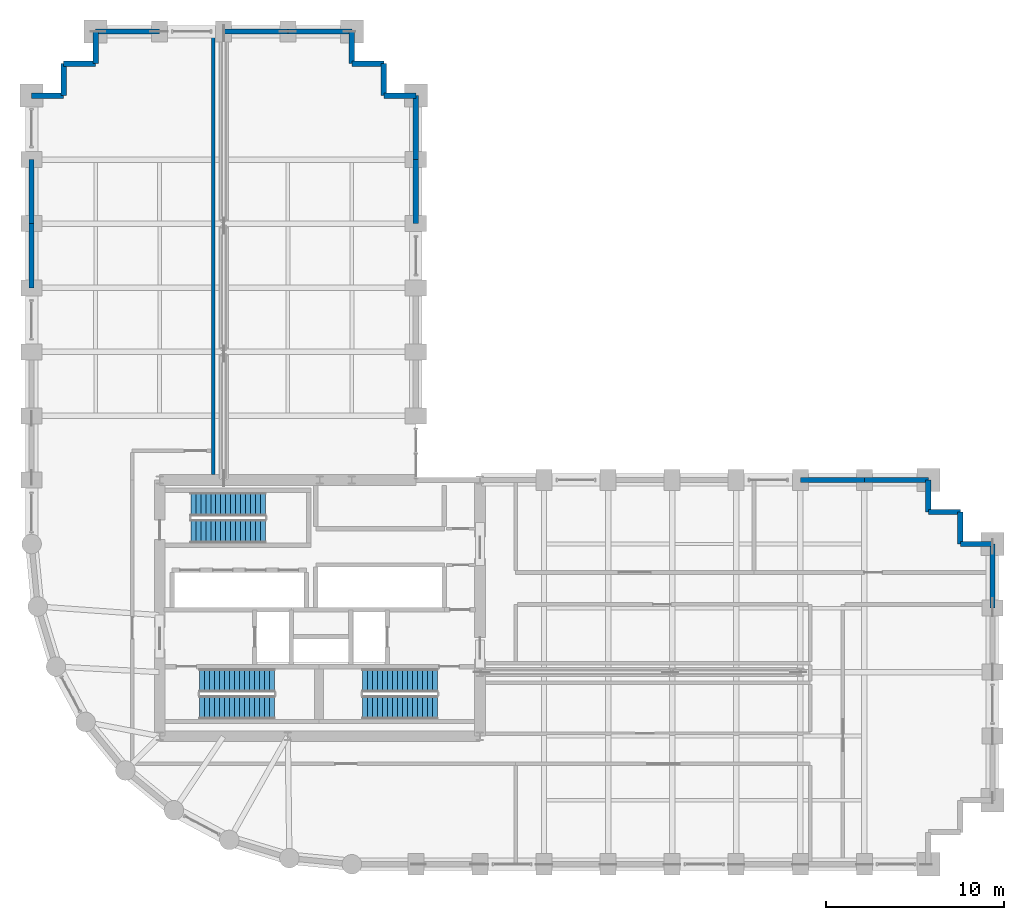
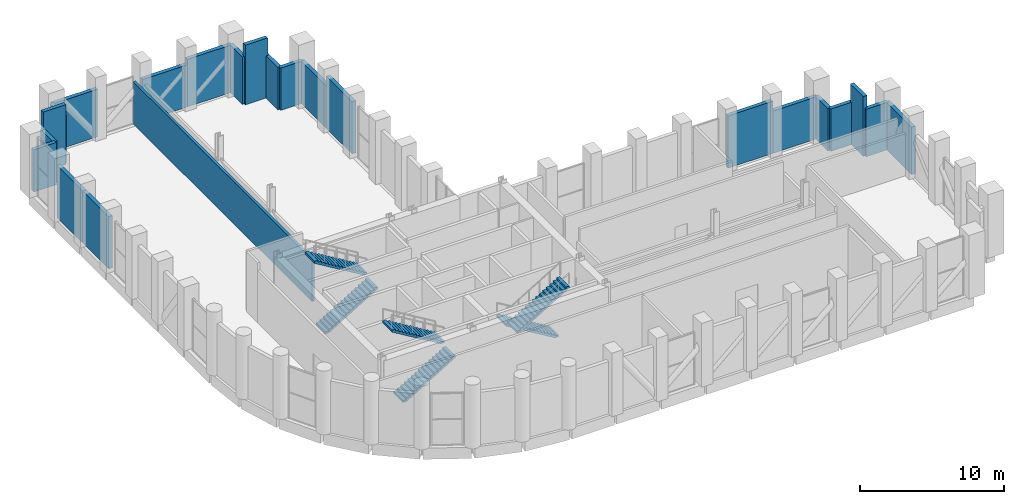
# One storey, part 26 of 27: 23 walls, 6 stair flights, 3 elements without a shape of their own.
"""IFC4 building model written with IfcOpenShell, lengths in metres."""

from ifc_helpers import new_model, si_unit, direction, frame, frame_2d, origin, place, context, subcontext, project, spatial, polyline, rectangle, outline, extrude, material, layer, layer_set, type_object, element, aggregate, save


model = new_model("IFC4")

# Units and contexts
model_context = context("Model", 3, precision=1e-05, world=origin(), true_north=direction((0.0, 1.0)))
body_context = subcontext(model_context, "Body", "Model", "MODEL_VIEW")
ifc_project = project(units=[si_unit("LENGTHUNIT", "METRE"), si_unit("AREAUNIT", "SQUARE_METRE"), si_unit("VOLUMEUNIT", "CUBIC_METRE"), si_unit("PLANEANGLEUNIT", "RADIAN"), si_unit("MASSUNIT", "GRAM", prefix="KILO")], contexts=[model_context])

# Site, building, storey
site_placement = place(None, origin())
site = spatial("IfcSite", under=ifc_project, at=site_placement, CompositionType="ELEMENT")
building_placement = place(site_placement, origin())
building = spatial("IfcBuilding", under=site, at=building_placement, Name="Solnavia Interchange Tower", CompositionType="ELEMENT")
storey_placement = place(building_placement, frame((0.0, 0.0, 74.699951171875)))
storey = spatial("IfcBuildingStorey", under=building, at=storey_placement, Name="L18", CompositionType="ELEMENT", Elevation=74.699951171875)

# Walls
ifc_material = material(Name="Concrete C40/50", Category="concrete")
ifc_layer_1 = layer(ifc_material, 0.300048828125)
ifc_layer_set_1 = layer_set([ifc_layer_1], Name="Concrete C40/50")
wall_type_1 = type_object("IfcWallType", Name="Wall-ExtSpandrel-300", PredefinedType="STANDARD", material=ifc_layer_set_1)
wall_1_placement = place(storey_placement, frame((61.199951171875, 21.60009765625, 0.0), z_axis=(0.0, 0.0, 1.0), x_axis=(0.0, -1.0, 0.0)))
element("IfcWall", 1, at=wall_1_placement, inside=storey, type_object=wall_type_1, Name="EXW-L18-17 Exterior precast spandrel wall", PredefinedType="STANDARD", context=body_context, shape_type="SweptSolid", body=[
    extrude(rectangle(XDim=3.60009765625, YDim=0.300048828125, at=frame_2d((1.800048828125, 0.0))), origin(), (0.0, 0.0, 1.0), 4.030029296875),
])
wall_2_placement = place(storey_placement, frame((61.199951171875, 21.60009765625, 0.0), z_axis=(0.0, 0.0, 1.0), x_axis=(-1.0, 0.0, 0.0)))
element("IfcWall", 2, at=wall_2_placement, inside=storey, type_object=wall_type_1, Name="EXW-L18-18 Exterior precast spandrel wall", PredefinedType="STANDARD", context=body_context, shape_type="SweptSolid", body=[
    extrude(rectangle(XDim=1.800048828125, YDim=0.300048828125, at=frame_2d((0.89990234375, 0.0))), origin(), (0.0, 0.0, 1.0), 4.030029296875),
])
wall_3_placement = place(storey_placement, frame((59.39990234375, 23.39990234375, 0.0), z_axis=(0.0, 0.0, 1.0), x_axis=(0.0, -1.0, 0.0)))
element("IfcWall", 3, at=wall_3_placement, inside=storey, type_object=wall_type_1, Name="EXW-L18-19 Exterior precast spandrel wall", PredefinedType="STANDARD", context=body_context, shape_type="SweptSolid", body=[
    extrude(rectangle(XDim=1.7998046875, YDim=0.300048828125, at=frame_2d((0.89990234375, 0.0))), origin(), (0.0, 0.0, 1.0), 5.06494140625),
])
wall_4_placement = place(storey_placement, frame((57.60009765625, 23.39990234375, 0.0), z_axis=(0.0, 0.0, 1.0), x_axis=(1.0, 0.0, 0.0)))
element("IfcWall", 4, at=wall_4_placement, inside=storey, type_object=wall_type_1, Name="EXW-L18-20 Exterior precast spandrel wall", PredefinedType="STANDARD", context=body_context, shape_type="SweptSolid", body=[
    extrude(rectangle(XDim=1.7998046875, YDim=0.300048828125, at=frame_2d((0.89990234375, 0.0))), origin(), (0.0, 0.0, 1.0), 3.580078125),
])
wall_5_placement = place(storey_placement, frame((57.60009765625, 25.199951171875, 0.0), z_axis=(0.0, 0.0, 1.0), x_axis=(0.0, -1.0, 0.0)))
element("IfcWall", 5, at=wall_5_placement, inside=storey, type_object=wall_type_1, Name="EXW-L18-21 Exterior precast spandrel wall", PredefinedType="STANDARD", context=body_context, shape_type="SweptSolid", body=[
    extrude(rectangle(XDim=1.800048828125, YDim=0.300048828125, at=frame_2d((0.89990234375, 0.0))), origin(), (0.0, 0.0, 1.0), 3.580078125),
])
wall_6_placement = place(storey_placement, frame((54.0, 25.199951171875, 0.0), z_axis=(0.0, 0.0, 1.0), x_axis=(1.0, 0.0, 0.0)))
element("IfcWall", 6, at=wall_6_placement, inside=storey, type_object=wall_type_1, Name="EXW-L18-22 Exterior precast spandrel wall", PredefinedType="STANDARD", context=body_context, shape_type="SweptSolid", body=[
    extrude(rectangle(XDim=3.60009765625, YDim=0.300048828125, at=frame_2d((1.800048828125, 0.0))), origin(), (0.0, 0.0, 1.0), 3.580078125),
])
wall_7_placement = place(storey_placement, frame((50.39990234375, 25.199951171875, 0.0), z_axis=(0.0, 0.0, 1.0), x_axis=(1.0, 0.0, 0.0)))
element("IfcWall", 7, at=wall_7_placement, inside=storey, type_object=wall_type_1, Name="EXW-L18-23 Exterior precast spandrel wall", PredefinedType="STANDARD", context=body_context, shape_type="SweptSolid", body=[
    extrude(rectangle(XDim=3.60009765625, YDim=0.300048828125, at=frame_2d((1.800048828125, 0.0))), origin(), (0.0, 0.0, 1.0), 4.429931640625),
])
wall_8_placement = place(storey_placement, frame((28.800048828125, 39.60009765625, 0.0), z_axis=(0.0, 0.0, 1.0), x_axis=(0.0, 1.0, 0.0)))
element("IfcWall", 8, at=wall_8_placement, inside=storey, type_object=wall_type_1, Name="EXW-L18-34 Exterior precast spandrel wall", PredefinedType="STANDARD", context=body_context, shape_type="SweptSolid", body=[
    extrude(rectangle(XDim=3.599853515625, YDim=0.300048828125, at=frame_2d((1.7998046875, 0.0))), origin(), (0.0, 0.0, 1.0), 4.429931640625),
])
wall_9_placement = place(storey_placement, frame((28.800048828125, 43.199951171875, 0.0), z_axis=(0.0, 0.0, 1.0), x_axis=(0.0, 1.0, 0.0)))
element("IfcWall", 9, at=wall_9_placement, inside=storey, type_object=wall_type_1, Name="EXW-L18-35 Exterior precast spandrel wall", PredefinedType="STANDARD", context=body_context, shape_type="SweptSolid", body=[
    extrude(rectangle(XDim=3.60009765625, YDim=0.300048828125, at=frame_2d((1.800048828125, 0.0))), origin(), (0.0, 0.0, 1.0), 3.580078125),
])
for number, where, z_axis, x_axis, name in (
    (10, (27.0, 46.800048828125, 0.0), (0.0, 0.0, 1.0), (1.0, 0.0, 0.0), "EXW-L18-36 Exterior precast spandrel wall"),
    (11, (27.0, 46.800048828125, 0.0), (0.0, 0.0, 1.0), (0.0, 1.0, 0.0), "EXW-L18-37 Exterior precast spandrel wall"),
):
    element("IfcWall", number, at=place(storey_placement, frame(where, z_axis=z_axis, x_axis=x_axis)), inside=storey, type_object=wall_type_1, Name=name, PredefinedType="STANDARD", context=body_context, shape_type="SweptSolid", body=[
        extrude(rectangle(XDim=1.800048828125, YDim=0.300048828125, at=frame_2d((0.89990234375, 0.0))), origin(), (0.0, 0.0, 1.0), 3.580078125),
    ])
wall_10_placement = place(storey_placement, frame((25.199951171875, 48.60009765625, 0.0), z_axis=(0.0, 0.0, 1.0), x_axis=(1.0, 0.0, 0.0)))
element("IfcWall", 12, at=wall_10_placement, inside=storey, type_object=wall_type_1, Name="EXW-L18-38 Exterior precast spandrel wall", PredefinedType="STANDARD", context=body_context, shape_type="SweptSolid", body=[
    extrude(rectangle(XDim=1.800048828125, YDim=0.300048828125, at=frame_2d((0.89990234375, 0.0))), origin(), (0.0, 0.0, 1.0), 5.06494140625),
])
wall_11_placement = place(storey_placement, frame((25.199951171875, 48.60009765625, 0.0), z_axis=(0.0, 0.0, 1.0), x_axis=(0.0, 1.0, 0.0)))
element("IfcWall", 13, at=wall_11_placement, inside=storey, type_object=wall_type_1, Name="EXW-L18-39 Exterior precast spandrel wall", PredefinedType="STANDARD", context=body_context, shape_type="SweptSolid", body=[
    extrude(rectangle(XDim=1.7998046875, YDim=0.300048828125, at=frame_2d((0.89990234375, 0.0))), origin(), (0.0, 0.0, 1.0), 4.030029296875),
])
wall_12_placement = place(storey_placement, frame((21.60009765625, 50.39990234375, 0.0), z_axis=(0.0, 0.0, 1.0), x_axis=(1.0, 0.0, 0.0)))
element("IfcWall", 14, at=wall_12_placement, inside=storey, type_object=wall_type_1, Name="EXW-L18-40 Exterior precast spandrel wall", PredefinedType="STANDARD", context=body_context, shape_type="SweptSolid", body=[
    extrude(rectangle(XDim=3.599853515625, YDim=0.300048828125, at=frame_2d((1.7998046875, 0.0))), origin(), (0.0, 0.0, 1.0), 4.030029296875),
])
wall_13_placement = place(storey_placement, frame((18.0, 50.39990234375, 0.0), z_axis=(0.0, 0.0, 1.0), x_axis=(1.0, 0.0, 0.0)))
element("IfcWall", 15, at=wall_13_placement, inside=storey, type_object=wall_type_1, Name="EXW-L18-41 Exterior precast spandrel wall", PredefinedType="STANDARD", context=body_context, shape_type="SweptSolid", body=[
    extrude(rectangle(XDim=3.60009765625, YDim=0.300048828125, at=frame_2d((1.800048828125, 0.0))), origin(), (0.0, 0.0, 1.0), 3.580078125),
])
wall_14_placement = place(storey_placement, frame((10.800048828125, 50.39990234375, 0.0), z_axis=(0.0, 0.0, 1.0), x_axis=(1.0, 0.0, 0.0)))
element("IfcWall", 16, at=wall_14_placement, inside=storey, type_object=wall_type_1, Name="EXW-L18-43 Exterior precast spandrel wall", PredefinedType="STANDARD", context=body_context, shape_type="SweptSolid", body=[
    extrude(rectangle(XDim=3.599853515625, YDim=0.300048828125, at=frame_2d((1.7998046875, 0.0))), origin(), (0.0, 0.0, 1.0), 4.030029296875),
])
wall_15_placement = place(storey_placement, frame((10.800048828125, 48.60009765625, 0.0), z_axis=(0.0, 0.0, 1.0), x_axis=(0.0, 1.0, 0.0)))
element("IfcWall", 17, at=wall_15_placement, inside=storey, type_object=wall_type_1, Name="EXW-L18-44 Exterior precast spandrel wall", PredefinedType="STANDARD", context=body_context, shape_type="SweptSolid", body=[
    extrude(rectangle(XDim=1.7998046875, YDim=0.300048828125, at=frame_2d((0.89990234375, 0.0))), origin(), (0.0, 0.0, 1.0), 4.030029296875),
])
wall_16_placement = place(storey_placement, frame((9.0, 48.60009765625, 0.0), z_axis=(0.0, 0.0, 1.0), x_axis=(1.0, 0.0, 0.0)))
element("IfcWall", 18, at=wall_16_placement, inside=storey, type_object=wall_type_1, Name="EXW-L18-45 Exterior precast spandrel wall", PredefinedType="STANDARD", context=body_context, shape_type="SweptSolid", body=[
    extrude(rectangle(XDim=1.800048828125, YDim=0.300048828125, at=frame_2d((0.89990234375, 0.0))), origin(), (0.0, 0.0, 1.0), 5.06494140625),
])
for number, where, z_axis, x_axis, name in (
    (19, (9.0, 46.800048828125, 0.0), (0.0, 0.0, 1.0), (0.0, 1.0, 0.0), "EXW-L18-46 Exterior precast spandrel wall"),
    (20, (7.199951171875, 46.800048828125, 0.0), (0.0, 0.0, 1.0), (1.0, 0.0, 0.0), "EXW-L18-47 Exterior precast spandrel wall"),
):
    element("IfcWall", number, at=place(storey_placement, frame(where, z_axis=z_axis, x_axis=x_axis)), inside=storey, type_object=wall_type_1, Name=name, PredefinedType="STANDARD", context=body_context, shape_type="SweptSolid", body=[
        extrude(rectangle(XDim=1.800048828125, YDim=0.300048828125, at=frame_2d((0.89990234375, 0.0))), origin(), (0.0, 0.0, 1.0), 3.580078125),
    ])
wall_17_placement = place(storey_placement, frame((7.199951171875, 39.60009765625, 0.0), z_axis=(0.0, 0.0, 1.0), x_axis=(0.0, 1.0, 0.0)))
element("IfcWall", 21, at=wall_17_placement, inside=storey, type_object=wall_type_1, Name="EXW-L18-49 Exterior precast spandrel wall", PredefinedType="STANDARD", context=body_context, shape_type="SweptSolid", body=[
    extrude(rectangle(XDim=3.599853515625, YDim=0.300048828125, at=frame_2d((1.7998046875, 0.0))), origin(), (0.0, 0.0, 1.0), 4.429931640625),
])
wall_18_placement = place(storey_placement, frame((7.199951171875, 36.0, 0.0), z_axis=(0.0, 0.0, 1.0), x_axis=(0.0, 1.0, 0.0)))
element("IfcWall", 22, at=wall_18_placement, inside=storey, type_object=wall_type_1, Name="EXW-L18-50 Exterior precast spandrel wall", PredefinedType="STANDARD", context=body_context, shape_type="SweptSolid", body=[
    extrude(rectangle(XDim=3.60009765625, YDim=0.300048828125, at=frame_2d((1.800048828125, 0.0))), origin(), (0.0, 0.0, 1.0), 4.429931640625),
])
ifc_layer_2 = layer(ifc_material, 0.199951171875)
ifc_layer_set_2 = layer_set([ifc_layer_2], Name="Concrete C40/50")
wall_type_2 = type_object("IfcWallType", Name="Wall-PlantFire-200", PredefinedType="PARTITIONING", material=ifc_layer_set_2)
wall_19_placement = place(storey_placement, frame((17.39990234375, 25.50390625, 0.0), z_axis=(0.0, 0.0, 1.0), x_axis=(0.0, 1.0, 0.0)))
element("IfcWall", 23, at=wall_19_placement, inside=storey, type_object=wall_type_2, Name="PTW-L18-01 Interior partition wall", PredefinedType="PARTITIONING", context=body_context, shape_type="SweptSolid", body=[
    extrude(rectangle(XDim=24.89599609375, YDim=0.199951171875, at=frame_2d((12.447998046875, 0.0))), origin(), (0.0, 0.0, 1.0), 3.580078125),
])

# Stair, stair flights
stair_type = type_object("IfcStairType", Name="Stair-Dogleg-RC", PredefinedType="HALF_TURN_STAIR", material=ifc_material)
stair_1_placement = place(storey_placement, origin())
stair_1 = element("IfcStair", 24, at=stair_1_placement, inside=storey, type_object=stair_type, Name="L18 Core exit stair 1", PredefinedType="HALF_TURN_STAIR")
stair_flight_type = type_object("IfcStairFlightType", Name="StairFlight-RC-150", PredefinedType="STRAIGHT", material=ifc_material)
stair_flight_1_placement = place(storey_placement, frame((16.64990234375, 12.409912109375, 0.0), z_axis=(0.0, 0.0, 1.0), x_axis=(1.0, 0.0, 0.0)))
stair_flight_1 = element("IfcStairFlight", 25, at=stair_flight_1_placement, type_object=stair_flight_type, Name="ST-1 flight 1", NumberOfRisers=16, NumberOfTreads=15, PredefinedType="STRAIGHT", RiserHeight=0.16875, TreadLength=0.28, context=body_context, shape_type="SweptSolid", body=[
    extrude(outline(polyline([(0.0, 0.0), (0.0, 0.168701171875), (0.280029296875, 0.168701171875), (0.280029296875, 0.33740234375), (0.56005859375, 0.33740234375), (0.56005859375, 0.50634765625), (0.840087890625, 0.50634765625), (0.840087890625, 0.675048828125), (1.1201171875, 0.675048828125), (1.1201171875, 0.84375), (1.39990234375, 0.84375), (1.39990234375, 1.012451171875), (1.679931640625, 1.012451171875), (1.679931640625, 1.18115234375), (1.9599609375, 1.18115234375), (1.9599609375, 1.35009765625), (2.239990234375, 1.35009765625), (2.239990234375, 1.518798828125), (2.52001953125, 1.518798828125), (2.52001953125, 1.6875), (2.800048828125, 1.6875), (2.800048828125, 1.856201171875), (3.080078125, 1.856201171875), (3.080078125, 2.02490234375), (3.360107421875, 2.02490234375), (3.360107421875, 2.19384765625), (3.639892578125, 2.19384765625), (3.639892578125, 2.362548828125), (3.919921875, 2.362548828125), (3.919921875, 2.53125), (4.199951171875, 2.53125), (4.199951171875, 2.699951171875), (4.199951171875, 2.356201171875), (0.29052734375, 0.0), (0.0, 0.0)])), frame((0.0, 0.66015625, 0.0), z_axis=(0.0, -1.0, 0.0), x_axis=(1.0, 0.0, 0.0)), (0.0, 0.0, 1.0), 1.320068359375),
])
stair_flight_2_placement = place(storey_placement, frame((20.85009765625, 13.929931640625, 2.699951171875), z_axis=(0.0, 0.0, 1.0), x_axis=(-1.0, 0.0, 0.0)))
stair_flight_2 = element("IfcStairFlight", 26, at=stair_flight_2_placement, type_object=stair_flight_type, Name="ST-1 flight 2", NumberOfRisers=16, NumberOfTreads=15, PredefinedType="STRAIGHT", RiserHeight=0.16875, TreadLength=0.28, context=body_context, shape_type="SweptSolid", body=[
    extrude(outline(polyline([(0.0, 0.0), (0.0, 0.168701171875), (0.280029296875, 0.168701171875), (0.280029296875, 0.33740234375), (0.56005859375, 0.33740234375), (0.56005859375, 0.50634765625), (0.840087890625, 0.50634765625), (0.840087890625, 0.675048828125), (1.1201171875, 0.675048828125), (1.1201171875, 0.84375), (1.39990234375, 0.84375), (1.39990234375, 1.012451171875), (1.679931640625, 1.012451171875), (1.679931640625, 1.18115234375), (1.9599609375, 1.18115234375), (1.9599609375, 1.35009765625), (2.239990234375, 1.35009765625), (2.239990234375, 1.518798828125), (2.52001953125, 1.518798828125), (2.52001953125, 1.6875), (2.800048828125, 1.6875), (2.800048828125, 1.856201171875), (3.080078125, 1.856201171875), (3.080078125, 2.02490234375), (3.360107421875, 2.02490234375), (3.360107421875, 2.19384765625), (3.639892578125, 2.19384765625), (3.639892578125, 2.362548828125), (3.919921875, 2.362548828125), (3.919921875, 2.53125), (4.199951171875, 2.53125), (4.199951171875, 2.699951171875), (4.199951171875, 2.356201171875), (0.29052734375, 0.0), (0.0, 0.0)])), frame((0.0, 0.66015625, 0.0), z_axis=(0.0, -1.0, 0.0), x_axis=(1.0, 0.0, 0.0)), (0.0, 0.0, 1.0), 1.320068359375),
])
aggregate(stair_1, [stair_flight_1, stair_flight_2])

stair_2_placement = place(storey_placement, origin())
stair_2 = element("IfcStair", 27, at=stair_2_placement, inside=storey, type_object=stair_type, Name="L18 Core exit stair 2", PredefinedType="HALF_TURN_STAIR")
stair_flight_3_placement = place(storey_placement, frame((30.0, 13.929931640625, 0.0), z_axis=(0.0, 0.0, 1.0), x_axis=(-1.0, 0.0, 0.0)))
stair_flight_3 = element("IfcStairFlight", 28, at=stair_flight_3_placement, type_object=stair_flight_type, Name="ST-2 flight 1", NumberOfRisers=16, NumberOfTreads=15, PredefinedType="STRAIGHT", RiserHeight=0.16875, TreadLength=0.28, context=body_context, shape_type="SweptSolid", body=[
    extrude(outline(polyline([(0.0, 0.0), (0.0, 0.168701171875), (0.280029296875, 0.168701171875), (0.280029296875, 0.33740234375), (0.56005859375, 0.33740234375), (0.56005859375, 0.50634765625), (0.840087890625, 0.50634765625), (0.840087890625, 0.675048828125), (1.1201171875, 0.675048828125), (1.1201171875, 0.84375), (1.39990234375, 0.84375), (1.39990234375, 1.012451171875), (1.679931640625, 1.012451171875), (1.679931640625, 1.18115234375), (1.9599609375, 1.18115234375), (1.9599609375, 1.35009765625), (2.239990234375, 1.35009765625), (2.239990234375, 1.518798828125), (2.52001953125, 1.518798828125), (2.52001953125, 1.6875), (2.800048828125, 1.6875), (2.800048828125, 1.856201171875), (3.080078125, 1.856201171875), (3.080078125, 2.02490234375), (3.360107421875, 2.02490234375), (3.360107421875, 2.19384765625), (3.639892578125, 2.19384765625), (3.639892578125, 2.362548828125), (3.919921875, 2.362548828125), (3.919921875, 2.53125), (4.199951171875, 2.53125), (4.199951171875, 2.699951171875), (4.199951171875, 2.356201171875), (0.29052734375, 0.0), (0.0, 0.0)])), frame((0.0, 0.66015625, 0.0), z_axis=(0.0, -1.0, 0.0), x_axis=(1.0, 0.0, 0.0)), (0.0, 0.0, 1.0), 1.320068359375),
])
stair_flight_4_placement = place(storey_placement, frame((25.800048828125, 12.409912109375, 2.699951171875), z_axis=(0.0, 0.0, 1.0), x_axis=(1.0, 0.0, 0.0)))
stair_flight_4 = element("IfcStairFlight", 29, at=stair_flight_4_placement, type_object=stair_flight_type, Name="ST-2 flight 2", NumberOfRisers=16, NumberOfTreads=15, PredefinedType="STRAIGHT", RiserHeight=0.16875, TreadLength=0.28, context=body_context, shape_type="SweptSolid", body=[
    extrude(outline(polyline([(0.0, 0.0), (0.0, 0.168701171875), (0.280029296875, 0.168701171875), (0.280029296875, 0.33740234375), (0.56005859375, 0.33740234375), (0.56005859375, 0.50634765625), (0.840087890625, 0.50634765625), (0.840087890625, 0.675048828125), (1.1201171875, 0.675048828125), (1.1201171875, 0.84375), (1.39990234375, 0.84375), (1.39990234375, 1.012451171875), (1.679931640625, 1.012451171875), (1.679931640625, 1.18115234375), (1.9599609375, 1.18115234375), (1.9599609375, 1.35009765625), (2.239990234375, 1.35009765625), (2.239990234375, 1.518798828125), (2.52001953125, 1.518798828125), (2.52001953125, 1.6875), (2.800048828125, 1.6875), (2.800048828125, 1.856201171875), (3.080078125, 1.856201171875), (3.080078125, 2.02490234375), (3.360107421875, 2.02490234375), (3.360107421875, 2.19384765625), (3.639892578125, 2.19384765625), (3.639892578125, 2.362548828125), (3.919921875, 2.362548828125), (3.919921875, 2.53125), (4.199951171875, 2.53125), (4.199951171875, 2.699951171875), (4.199951171875, 2.356201171875), (0.29052734375, 0.0), (0.0, 0.0)])), frame((0.0, 0.66015625, 0.0), z_axis=(0.0, -1.0, 0.0), x_axis=(1.0, 0.0, 0.0)), (0.0, 0.0, 1.0), 1.320068359375),
])
aggregate(stair_2, [stair_flight_3, stair_flight_4])

stair_3_placement = place(storey_placement, origin())
stair_3 = element("IfcStair", 30, at=stair_3_placement, inside=storey, type_object=stair_type, Name="L18 Core exit stair 3", PredefinedType="HALF_TURN_STAIR")
stair_flight_5_placement = place(storey_placement, frame((16.14990234375, 22.31005859375, 0.0), z_axis=(0.0, 0.0, 1.0), x_axis=(1.0, 0.0, 0.0)))
stair_flight_5 = element("IfcStairFlight", 31, at=stair_flight_5_placement, type_object=stair_flight_type, Name="ST-3 flight 1", NumberOfRisers=16, NumberOfTreads=15, PredefinedType="STRAIGHT", RiserHeight=0.16875, TreadLength=0.28, context=body_context, shape_type="SweptSolid", body=[
    extrude(outline(polyline([(0.0, 0.0), (0.0, 0.168701171875), (0.280029296875, 0.168701171875), (0.280029296875, 0.33740234375), (0.56005859375, 0.33740234375), (0.56005859375, 0.50634765625), (0.840087890625, 0.50634765625), (0.840087890625, 0.675048828125), (1.1201171875, 0.675048828125), (1.1201171875, 0.84375), (1.39990234375, 0.84375), (1.39990234375, 1.012451171875), (1.679931640625, 1.012451171875), (1.679931640625, 1.18115234375), (1.9599609375, 1.18115234375), (1.9599609375, 1.35009765625), (2.239990234375, 1.35009765625), (2.239990234375, 1.518798828125), (2.52001953125, 1.518798828125), (2.52001953125, 1.6875), (2.800048828125, 1.6875), (2.800048828125, 1.856201171875), (3.080078125, 1.856201171875), (3.080078125, 2.02490234375), (3.360107421875, 2.02490234375), (3.360107421875, 2.19384765625), (3.639892578125, 2.19384765625), (3.639892578125, 2.362548828125), (3.919921875, 2.362548828125), (3.919921875, 2.53125), (4.199951171875, 2.53125), (4.199951171875, 2.699951171875), (4.199951171875, 2.356201171875), (0.29052734375, 0.0), (0.0, 0.0)])), frame((0.0, 0.66015625, 0.0), z_axis=(0.0, -1.0, 0.0), x_axis=(1.0, 0.0, 0.0)), (0.0, 0.0, 1.0), 1.320068359375),
])
stair_flight_6_placement = place(storey_placement, frame((20.35009765625, 23.830078125, 2.699951171875), z_axis=(0.0, 0.0, 1.0), x_axis=(-1.0, 0.0, 0.0)))
stair_flight_6 = element("IfcStairFlight", 32, at=stair_flight_6_placement, type_object=stair_flight_type, Name="ST-3 flight 2", NumberOfRisers=16, NumberOfTreads=15, PredefinedType="STRAIGHT", RiserHeight=0.16875, TreadLength=0.28, context=body_context, shape_type="SweptSolid", body=[
    extrude(outline(polyline([(0.0, 0.0), (0.0, 0.168701171875), (0.280029296875, 0.168701171875), (0.280029296875, 0.33740234375), (0.56005859375, 0.33740234375), (0.56005859375, 0.50634765625), (0.840087890625, 0.50634765625), (0.840087890625, 0.675048828125), (1.1201171875, 0.675048828125), (1.1201171875, 0.84375), (1.39990234375, 0.84375), (1.39990234375, 1.012451171875), (1.679931640625, 1.012451171875), (1.679931640625, 1.18115234375), (1.9599609375, 1.18115234375), (1.9599609375, 1.35009765625), (2.239990234375, 1.35009765625), (2.239990234375, 1.518798828125), (2.52001953125, 1.518798828125), (2.52001953125, 1.6875), (2.800048828125, 1.6875), (2.800048828125, 1.856201171875), (3.080078125, 1.856201171875), (3.080078125, 2.02490234375), (3.360107421875, 2.02490234375), (3.360107421875, 2.19384765625), (3.639892578125, 2.19384765625), (3.639892578125, 2.362548828125), (3.919921875, 2.362548828125), (3.919921875, 2.53125), (4.199951171875, 2.53125), (4.199951171875, 2.699951171875), (4.199951171875, 2.356201171875), (0.29052734375, 0.0), (0.0, 0.0)])), frame((0.0, 0.66015625, 0.0), z_axis=(0.0, -1.0, 0.0), x_axis=(1.0, 0.0, 0.0)), (0.0, 0.0, 1.0), 1.320068359375),
])
aggregate(stair_3, [stair_flight_5, stair_flight_6])

save(model, "model.ifc")
